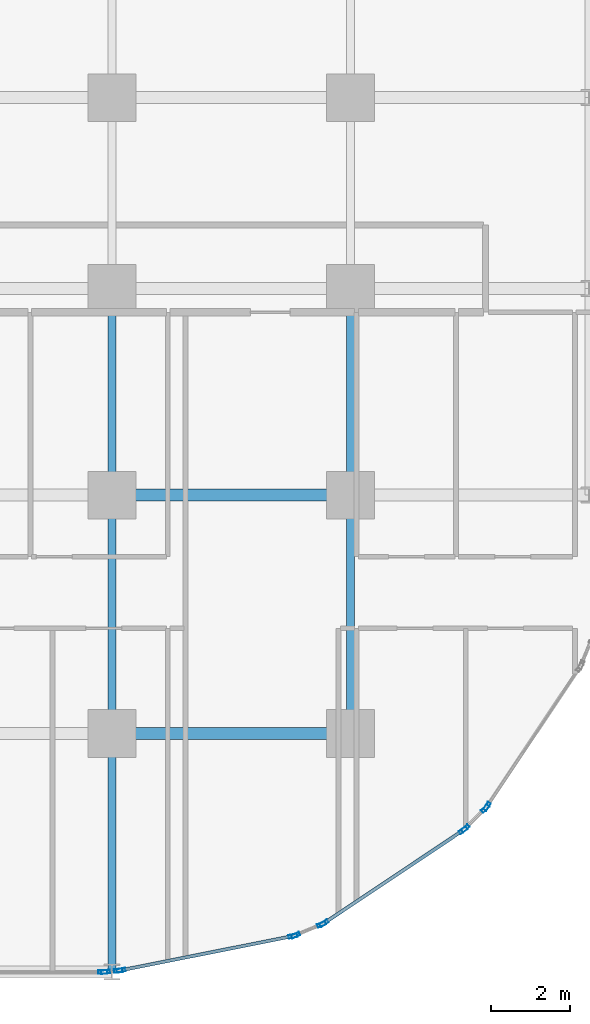
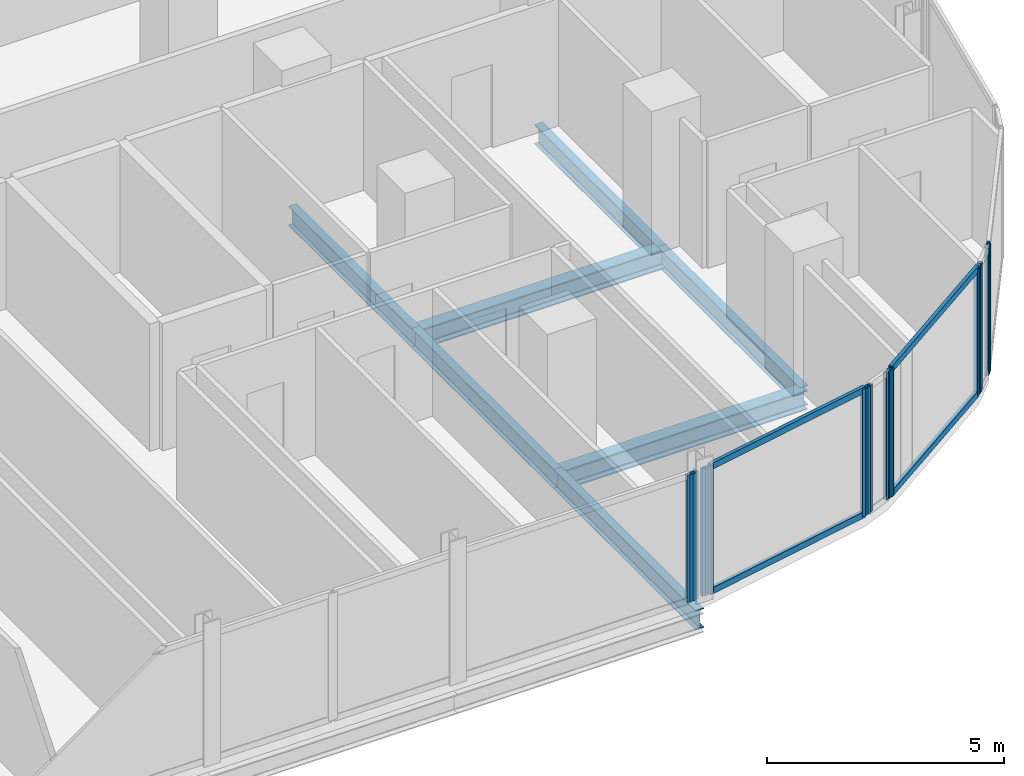
# One storey, part 10 of 33: 16 members, 7 beams, 7 elements without a shape of their own.
"""IFC4 building model written with IfcOpenShell, lengths in metres."""

import ifcopenshell
import ifcopenshell.guid

model = None  # the IFC model being written
_history = None  # IfcOwnerHistory: only IFC2X3 demands one
_inside = {}  # id of a spatial element -> (the spatial element, [elements in it])
_under = {}  # id of a project, library or spatial element -> (it, [spatial elements below it])
_declared = {}  # id of a project -> (the project, [libraries it declares])
_typed = {}  # id of a type object -> (the type object, [elements of that type])
_made_of = {}  # id of a material, layer set ... -> (it, [elements and type objects made of it])


def new_model(schema):
    """Start an empty IFC model of exactly this schema.

    Asked for "IFC4X3", IfcOpenShell would pick the latest addendum, in which some entities
    have other attributes; the version numbers below select the first issue.
    IFC2X3 requires an IfcOwnerHistory on every rooted entity: one is made here for all.
    """
    global model, _history
    if schema == "IFC4X3":
        model = ifcopenshell.file(schema_version=(4, 3, 0, 0))
    else:
        model = ifcopenshell.file(schema=schema)
    _inside.clear()
    _under.clear()
    _declared.clear()
    _typed.clear()
    _made_of.clear()
    _history = None
    if model.schema == "IFC2X3":
        org = make("IfcOrganization", Name="unknown")
        user = make(
            "IfcPersonAndOrganization",
            ThePerson=make("IfcPerson", FamilyName="unknown"),
            TheOrganization=org,
        )
        app = make(
            "IfcApplication",
            ApplicationDeveloper=org,
            Version="unknown",
            ApplicationFullName="unknown",
            ApplicationIdentifier="unknown",
        )
        _history = make(
            "IfcOwnerHistory",
            OwningUser=user,
            OwningApplication=app,
            ChangeAction="ADDED",
            CreationDate=0,
        )
    return model


def make(cls, **values):
    """One entity of the class cls with the attributes given. An attribute that is None is left unset."""
    return model.create_entity(
        cls, **{name: value for name, value in values.items() if value is not None}
    )


def rooted(cls, **values):
    """An entity with a GlobalId (a new one), such as an element, a storey or a relation."""
    return make(cls, GlobalId=ifcopenshell.guid.new(), OwnerHistory=_history, **values)


def si_unit(unit_type, name, prefix=None):
    """IfcSIUnit, for example si_unit("LENGTHUNIT", "METRE", prefix="MILLI")."""
    return make("IfcSIUnit", UnitType=unit_type, Prefix=prefix, Name=name)


def assignment(units):
    """IfcUnitAssignment: the units of a project."""
    return None if units is None else make("IfcUnitAssignment", Units=units)


def point(xyz):
    """IfcCartesianPoint."""
    return None if xyz is None else make("IfcCartesianPoint", Coordinates=xyz)


def direction(xyz):
    """IfcDirection."""
    return None if xyz is None else make("IfcDirection", DirectionRatios=xyz)


def frame(location, z_axis=None, x_axis=None):
    """IfcAxis2Placement3D, a coordinate frame: its origin and axes. An axis left out is left unset."""
    return make(
        "IfcAxis2Placement3D",
        Location=point(location),
        Axis=direction(z_axis),
        RefDirection=direction(x_axis),
    )


def frame_2d(location, x_axis=None):
    """IfcAxis2Placement2D, a coordinate frame in the plane: its origin and x axis."""
    return make(
        "IfcAxis2Placement2D", Location=point(location), RefDirection=direction(x_axis)
    )


def origin():
    """The frame at (0, 0, 0) with its axes left unset."""
    return frame((0.0, 0.0, 0.0))


def origin_2d():
    """The frame at (0, 0) in the plane with its x axis left unset."""
    return frame_2d((0.0, 0.0))


def place(relative_to, where):
    """IfcLocalPlacement: puts the frame where relative to a parent placement (None: the world)."""
    return make(
        "IfcLocalPlacement", PlacementRelTo=relative_to, RelativePlacement=where
    )


def context(
    kind, dimensions, precision=None, world=None, true_north=None, identifier=None
):
    """IfcGeometricRepresentationContext, for example the 3D "Model" context."""
    return make(
        "IfcGeometricRepresentationContext",
        ContextIdentifier=identifier,
        ContextType=kind,
        CoordinateSpaceDimension=dimensions,
        Precision=precision,
        WorldCoordinateSystem=world,
        TrueNorth=true_north,
    )


def subcontext(parent, identifier, kind, view, scale=None):
    """IfcGeometricRepresentationSubContext, for example "Body" below "Model"."""
    return make(
        "IfcGeometricRepresentationSubContext",
        ContextIdentifier=identifier,
        ContextType=kind,
        ParentContext=parent,
        TargetScale=scale,
        TargetView=view,
    )


def project(units=None, contexts=None):
    """IfcProject with its units and contexts."""
    return rooted(
        "IfcProject",
        Name="project",
        RepresentationContexts=contexts,
        UnitsInContext=assignment(units),
    )


def spatial(cls, under=None, at=None, **own):
    """A site, building, storey or space (cls), placed at a placement, below another one or the project."""
    s = rooted(cls, ObjectPlacement=at, **own)
    if under is not None:
        _under.setdefault(under.id(), (under, []))[1].append(s)
    return s


def profile(cls, at=None, kind="AREA", **sizes):
    """A parametric profile (cls). Its sizes go by their IFC names, for example OverallWidth=200.0."""
    return make(cls, ProfileType=kind, Position=at, **sizes)


def hollow_rectangle(**sizes):
    """IfcRectangleHollowProfileDef."""
    return profile("IfcRectangleHollowProfileDef", **sizes)


def i_section(**sizes):
    """IfcIShapeProfileDef."""
    return profile("IfcIShapeProfileDef", **sizes)


def extrude(swept, where, along, depth):
    """IfcExtrudedAreaSolid: the profile swept, set in the frame where, extruded along a direction by depth."""
    return make(
        "IfcExtrudedAreaSolid",
        SweptArea=swept,
        Position=where,
        ExtrudedDirection=direction(along),
        Depth=depth,
    )


def shape(context_of_items, identifier, shape_type, items):
    """IfcShapeRepresentation: the items that make up one representation, for example the "Body"."""
    return make(
        "IfcShapeRepresentation",
        ContextOfItems=context_of_items,
        RepresentationIdentifier=identifier,
        RepresentationType=shape_type,
        Items=items,
    )


def material(Name=None, Category=None):
    """IfcMaterial."""
    return make("IfcMaterial", Name=Name, Category=Category)


def layer(
    of_material, thickness, ventilated=None, Name=None, Category=None, Priority=None
):
    """IfcMaterialLayer: one layer of a wall or slab, of a material (None: an air gap)."""
    return make(
        "IfcMaterialLayer",
        Material=of_material,
        LayerThickness=thickness,
        IsVentilated=ventilated,
        Name=Name,
        Category=Category,
        Priority=Priority,
    )


def layer_set(layers, Name=None):
    """IfcMaterialLayerSet."""
    return make("IfcMaterialLayerSet", MaterialLayers=layers, LayerSetName=Name)


def material_profile(
    of_material, cross_section, Name=None, Category=None, Priority=None
):
    """IfcMaterialProfile: a cross section and its material."""
    return make(
        "IfcMaterialProfile",
        Name=Name,
        Material=of_material,
        Profile=cross_section,
        Priority=Priority,
        Category=Category,
    )


def profile_set(profiles, Name=None, composite=None):
    """IfcMaterialProfileSet."""
    return make(
        "IfcMaterialProfileSet",
        Name=Name,
        MaterialProfiles=profiles,
        CompositeProfile=composite,
    )


def made_of(thing, what):
    """Note that an element or type object is made of a material, layer set ...; save() writes the relation."""
    if what is not None:
        _made_of.setdefault(what.id(), (what, []))[1].append(thing)
    return thing


def type_object(cls, material=None, **own):
    """A type object (cls), such as IfcWallType, which elements share."""
    return made_of(rooted(cls, **own), material)


def element(
    cls,
    number,
    at=None,
    inside=None,
    cuts=None,
    type_object=None,
    material=None,
    context=None,
    identifier="Body",
    shape_type=None,
    held_by="IfcProductDefinitionShape",
    body=None,
    shapes=None,
    **own,
):
    """One element of the class cls, such as IfcWall. Its Tag is "e" and its number.

    at: its placement. inside: the storey or other place that contains it. cuts: it is an
    opening in that element (IfcRelVoidsElement). A single representation is given by context,
    identifier, shape_type and body (its items); several are given by shapes. held_by: the class
    of the entity that holds the representations. save() writes the other relations.
    """
    e = rooted(cls, Tag="e%d" % number, ObjectPlacement=at, **own)
    if body is not None:
        shapes = [shape(context, identifier, shape_type, body)]
    if shapes is not None:
        e.Representation = make(held_by, Representations=shapes)
    if inside is not None:
        _inside.setdefault(inside.id(), (inside, []))[1].append(e)
    if cuts is not None:
        rooted(
            "IfcRelVoidsElement", RelatingBuildingElement=cuts, RelatedOpeningElement=e
        )
    if type_object is not None:
        _typed.setdefault(type_object.id(), (type_object, []))[1].append(e)
    return made_of(e, material)


def aggregate(whole, parts):
    """IfcRelAggregates: a whole, such as a stair, and the parts it consists of."""
    return rooted("IfcRelAggregates", RelatingObject=whole, RelatedObjects=parts)


def save(model, path):
    """Write the relations noted so far, then the file.

    IfcRelAggregates (storeys below a building ...), IfcRelContainedInSpatialStructure (elements
    in a storey), IfcRelDefinesByType, IfcRelAssociatesMaterial and IfcRelDeclares: one each for
    every whole, place, type object, material and project.
    """
    for whole, parts in _under.values():
        aggregate(whole, parts)
    for where, things in _inside.values():
        rooted(
            "IfcRelContainedInSpatialStructure",
            RelatedElements=things,
            RelatingStructure=where,
        )
    for kind, things in _typed.values():
        rooted("IfcRelDefinesByType", RelatedObjects=things, RelatingType=kind)
    for what, things in _made_of.values():
        rooted("IfcRelAssociatesMaterial", RelatedObjects=things, RelatingMaterial=what)
    for by, libraries in _declared.values():
        rooted("IfcRelDeclares", RelatingContext=by, RelatedDefinitions=libraries)
    model.write(path)


model = new_model("IFC4")

# Units and contexts
model_context = context("Model", 3, precision=1e-05, world=origin(), true_north=direction((0.0, 1.0)))
body_context = subcontext(model_context, "Body", "Model", "MODEL_VIEW")
ifc_project = project(units=[si_unit("LENGTHUNIT", "METRE"), si_unit("AREAUNIT", "SQUARE_METRE"), si_unit("VOLUMEUNIT", "CUBIC_METRE"), si_unit("PLANEANGLEUNIT", "RADIAN"), si_unit("MASSUNIT", "GRAM", prefix="KILO")], contexts=[model_context])

# Site, building, storey
site_placement = place(None, origin())
site = spatial("IfcSite", under=ifc_project, at=site_placement, CompositionType="ELEMENT")
building_placement = place(site_placement, origin())
building = spatial("IfcBuilding", under=site, at=building_placement, Name="Keshet Zoharim Tower", CompositionType="ELEMENT")
storey_placement = place(building_placement, frame((0.0, 0.0, 57.300048828125)))
storey = spatial("IfcBuildingStorey", under=building, at=storey_placement, Name="L13", CompositionType="ELEMENT", Elevation=57.300048828125)

# Beams
ifc_material_1 = material(Name="Steel S355", Category="steel")
ifc_material_profile_1 = material_profile(ifc_material_1, i_section(OverallWidth=0.199951171875, OverallDepth=0.5, WebThickness=0.01025390625, FlangeThickness=0.01611328125, FilletRadius=0.02099609375, at=origin_2d()), Name="IPE500")
ifc_profile_set_1 = profile_set([ifc_material_profile_1], Name="Steel S355")
beam_type_1 = type_object("IfcBeamType", Name="BM-PRI-IP500", PredefinedType="BEAM", material=ifc_profile_set_1)
for number, where, z_axis, x_axis, name in (
    (1, (57.0, 0.699951171875, -0.56494140625), (0.0, 1.0, 0.0), (-1.0, 0.0, 0.0), "L13 Primary Girder Y-013"),
    (2, (57.0, 6.699951171875, -0.56494140625), (0.0, 1.0, 0.0), (-1.0, 0.0, 0.0), "L13 Primary Girder Y-014"),
):
    element("IfcBeam", number, at=place(storey_placement, frame(where, z_axis=z_axis, x_axis=x_axis)), inside=storey, type_object=beam_type_1, Name=name, PredefinedType="BEAM", context=body_context, shape_type="SweptSolid", body=[
        extrude(i_section(OverallWidth=0.199951171875, OverallDepth=0.5, WebThickness=0.01025390625, FlangeThickness=0.01611328125, FilletRadius=0.02099609375, at=origin_2d()), origin(), (0.0, 0.0, 1.0), 6.0),
    ])
beam_1_placement = place(storey_placement, frame((57.0, 12.699951171875, -0.56494140625), z_axis=(0.0, 1.0, 0.0), x_axis=(-1.0, 0.0, 0.0)))
element("IfcBeam", 3, at=beam_1_placement, inside=storey, type_object=beam_type_1, Name="L13 Primary Girder Y-015", PredefinedType="BEAM", context=body_context, shape_type="SweptSolid", body=[
    extrude(i_section(OverallWidth=0.199951171875, OverallDepth=0.5, WebThickness=0.01025390625, FlangeThickness=0.01611328125, FilletRadius=0.02099609375, at=origin_2d()), origin(), (0.0, 0.0, 1.0), 5.199951171875),
])
beam_2_placement = place(storey_placement, frame((63.0, 6.699951171875, -0.56494140625), z_axis=(0.0, 1.0, 0.0), x_axis=(-1.0, 0.0, 0.0)))
element("IfcBeam", 4, at=beam_2_placement, inside=storey, type_object=beam_type_1, Name="L13 Primary Girder Y-018", PredefinedType="BEAM", context=body_context, shape_type="SweptSolid", body=[
    extrude(i_section(OverallWidth=0.199951171875, OverallDepth=0.5, WebThickness=0.01025390625, FlangeThickness=0.01611328125, FilletRadius=0.02099609375, at=origin_2d()), origin(), (0.0, 0.0, 1.0), 6.0),
])
beam_3_placement = place(storey_placement, frame((63.0, 12.699951171875, -0.56494140625), z_axis=(0.0, 1.0, 0.0), x_axis=(-1.0, 0.0, 0.0)))
element("IfcBeam", 5, at=beam_3_placement, inside=storey, type_object=beam_type_1, Name="L13 Primary Girder Y-019", PredefinedType="BEAM", context=body_context, shape_type="SweptSolid", body=[
    extrude(i_section(OverallWidth=0.199951171875, OverallDepth=0.5, WebThickness=0.01025390625, FlangeThickness=0.01611328125, FilletRadius=0.02099609375, at=origin_2d()), origin(), (0.0, 0.0, 1.0), 5.199951171875),
])
ifc_material_profile_2 = material_profile(ifc_material_1, i_section(OverallWidth=0.300048828125, OverallDepth=0.5, WebThickness=0.014404296875, FlangeThickness=0.028076171875, FilletRadius=0.027099609375, at=origin_2d()), Name="HEB500")
ifc_profile_set_2 = profile_set([ifc_material_profile_2], Name="Steel S355")
beam_type_2 = type_object("IfcBeamType", Name="BM-WEB-HB500", PredefinedType="BEAM", material=ifc_profile_set_2)
for number, where, z_axis, x_axis, name in (
    (6, (57.0, 6.699951171875, -0.56494140625), (1.0, 0.0, 0.0), (0.0, 1.0, 0.0), "L13 Primary Girder X-010"),
    (7, (57.0, 12.699951171875, -0.56494140625), (1.0, 0.0, 0.0), (0.0, 1.0, 0.0), "L13 Primary Girder X-013"),
):
    element("IfcBeam", number, at=place(storey_placement, frame(where, z_axis=z_axis, x_axis=x_axis)), inside=storey, type_object=beam_type_2, Name=name, PredefinedType="BEAM", context=body_context, shape_type="SweptSolid", body=[
        extrude(i_section(OverallWidth=0.300048828125, OverallDepth=0.5, WebThickness=0.014404296875, FlangeThickness=0.028076171875, FilletRadius=0.027099609375, at=origin_2d()), origin(), (0.0, 0.0, 1.0), 6.0),
    ])

# Curtain wall, member
ifc_material_2 = material(Name="Aluminium 6063-T6", Category="aluminium")
ifc_layer = layer(ifc_material_2, 0.179931640625)
ifc_layer_set = layer_set([ifc_layer], Name="Aluminium 6063-T6")
curtain_wall_type = type_object("IfcCurtainWallType", Name="CW-SYS-01", PredefinedType="NOTDEFINED", material=ifc_layer_set)
curtain_wall_1_placement = place(storey_placement, origin())
curtain_wall_1 = element("IfcCurtainWall", 8, at=curtain_wall_1_placement, inside=storey, type_object=curtain_wall_type, Name="L13 Unitised Curtain Wall 20", PredefinedType="NOTDEFINED")
ifc_material_profile_3 = material_profile(ifc_material_2, hollow_rectangle(XDim=0.090087890625, YDim=0.219970703125, WallThickness=0.0048828125, at=origin_2d()), Name="MUL-90x220")
ifc_profile_set_3 = profile_set([ifc_material_profile_3], Name="Aluminium 6063-T6")
member_type_1 = type_object("IfcMemberType", Name="CWM-M22", PredefinedType="MULLION", material=ifc_profile_set_3)
member_1_placement = place(storey_placement, frame((66.432373046875, 4.8671875, 0.0), z_axis=(0.0, 0.0, 1.0), x_axis=(0.831474282335, -0.555563243758, 0.0)))
member_1 = element("IfcMember", 9, at=member_1_placement, type_object=member_type_1, Name="CW-01 mullion 2", PredefinedType="MULLION", context=body_context, shape_type="SweptSolid", body=[
    extrude(hollow_rectangle(XDim=0.090087890625, YDim=0.219970703125, WallThickness=0.0048828125, at=origin_2d()), origin(), (0.0, 0.0, 1.0), 3.280029296875),
])
aggregate(curtain_wall_1, [member_1])

# Curtain wall, members
curtain_wall_2_placement = place(storey_placement, origin())
curtain_wall_2 = element("IfcCurtainWall", 10, at=curtain_wall_2_placement, inside=storey, type_object=curtain_wall_type, Name="L13 Unitised Curtain Wall 21", PredefinedType="NOTDEFINED")
member_2_placement = place(storey_placement, frame((66.38818359375, 4.813232421875, 0.0), z_axis=(0.0, 0.0, 1.0), x_axis=(0.707106781187, -0.707106781187, 0.0)))
member_2 = element("IfcMember", 11, at=member_2_placement, type_object=member_type_1, Name="CW-01 mullion 1", PredefinedType="MULLION", context=body_context, shape_type="SweptSolid", body=[
    extrude(hollow_rectangle(XDim=0.090087890625, YDim=0.219970703125, WallThickness=0.0048828125, at=origin_2d()), origin(), (0.0, 0.0, 1.0), 3.280029296875),
])
member_3_placement = place(storey_placement, frame((65.88671875, 4.311767578125, 0.0), z_axis=(0.0, 0.0, 1.0), x_axis=(0.707106781187, -0.707106781187, 0.0)))
member_3 = element("IfcMember", 12, at=member_3_placement, type_object=member_type_1, Name="CW-01 mullion 2", PredefinedType="MULLION", context=body_context, shape_type="SweptSolid", body=[
    extrude(hollow_rectangle(XDim=0.090087890625, YDim=0.219970703125, WallThickness=0.0048828125, at=origin_2d()), origin(), (0.0, 0.0, 1.0), 3.280029296875),
])
aggregate(curtain_wall_2, [member_2, member_3])

curtain_wall_3_placement = place(storey_placement, origin())
curtain_wall_3 = element("IfcCurtainWall", 13, at=curtain_wall_3_placement, inside=storey, type_object=curtain_wall_type, Name="L13 Unitised Curtain Wall 22", PredefinedType="NOTDEFINED")
member_4_placement = place(storey_placement, frame((65.8330078125, 4.267578125, 0.0), z_axis=(0.0, 0.0, 1.0), x_axis=(0.555563243758, -0.831474282335, 0.0)))
member_4 = element("IfcMember", 14, at=member_4_placement, type_object=member_type_1, Name="CW-01 mullion 1", PredefinedType="MULLION", context=body_context, shape_type="SweptSolid", body=[
    extrude(hollow_rectangle(XDim=0.090087890625, YDim=0.219970703125, WallThickness=0.0048828125, at=origin_2d()), origin(), (0.0, 0.0, 1.0), 3.280029296875),
])
member_5_placement = place(storey_placement, frame((62.335205078125, 1.930419921875, 0.0), z_axis=(0.0, 0.0, 1.0), x_axis=(0.555563243758, -0.831474282335, 0.0)))
member_5 = element("IfcMember", 15, at=member_5_placement, type_object=member_type_1, Name="CW-01 mullion 2", PredefinedType="MULLION", context=body_context, shape_type="SweptSolid", body=[
    extrude(hollow_rectangle(XDim=0.090087890625, YDim=0.219970703125, WallThickness=0.0048828125, at=origin_2d()), origin(), (0.0, 0.0, 1.0), 3.280029296875),
])

curtain_wall_4_placement = place(storey_placement, origin())
curtain_wall_4 = element("IfcCurtainWall", 16, at=curtain_wall_4_placement, inside=storey, type_object=curtain_wall_type, Name="L13 Unitised Curtain Wall 23", PredefinedType="NOTDEFINED")
member_6_placement = place(storey_placement, frame((62.273681640625, 1.897705078125, 0.0), z_axis=(0.0, 0.0, 1.0), x_axis=(0.383068349739, -0.923720000557, 0.0)))
member_6 = element("IfcMember", 17, at=member_6_placement, type_object=member_type_1, Name="CW-01 mullion 1", PredefinedType="MULLION", context=body_context, shape_type="SweptSolid", body=[
    extrude(hollow_rectangle(XDim=0.090087890625, YDim=0.219970703125, WallThickness=0.0048828125, at=origin_2d()), origin(), (0.0, 0.0, 1.0), 3.280029296875),
])
member_7_placement = place(storey_placement, frame((61.617431640625, 1.62548828125, 0.0), z_axis=(0.0, 0.0, 1.0), x_axis=(0.383068349739, -0.923720000557, 0.0)))
member_7 = element("IfcMember", 18, at=member_7_placement, type_object=member_type_1, Name="CW-01 mullion 2", PredefinedType="MULLION", context=body_context, shape_type="SweptSolid", body=[
    extrude(hollow_rectangle(XDim=0.090087890625, YDim=0.219970703125, WallThickness=0.0048828125, at=origin_2d()), origin(), (0.0, 0.0, 1.0), 3.280029296875),
])
aggregate(curtain_wall_4, [member_6, member_7])

curtain_wall_5_placement = place(storey_placement, origin())
curtain_wall_5 = element("IfcCurtainWall", 19, at=curtain_wall_5_placement, inside=storey, type_object=curtain_wall_type, Name="L13 Unitised Curtain Wall 24", PredefinedType="NOTDEFINED")
member_8_placement = place(storey_placement, frame((61.55078125, 1.605224609375, 0.0), z_axis=(0.0, 0.0, 1.0), x_axis=(0.195171279072, -0.98076917357, 0.0)))
member_8 = element("IfcMember", 20, at=member_8_placement, type_object=member_type_1, Name="CW-01 mullion 1", PredefinedType="MULLION", context=body_context, shape_type="SweptSolid", body=[
    extrude(hollow_rectangle(XDim=0.090087890625, YDim=0.219970703125, WallThickness=0.0048828125, at=origin_2d()), origin(), (0.0, 0.0, 1.0), 3.280029296875),
])
member_9_placement = place(storey_placement, frame((57.227294921875, 0.744873046875, 0.0), z_axis=(0.0, 0.0, 1.0), x_axis=(0.195171279072, -0.98076917357, 0.0)))
member_9 = element("IfcMember", 21, at=member_9_placement, type_object=member_type_1, Name="CW-01 mullion 2", PredefinedType="MULLION", context=body_context, shape_type="SweptSolid", body=[
    extrude(hollow_rectangle(XDim=0.090087890625, YDim=0.219970703125, WallThickness=0.0048828125, at=origin_2d()), origin(), (0.0, 0.0, 1.0), 3.280029296875),
])

curtain_wall_6_placement = place(storey_placement, origin())
curtain_wall_6 = element("IfcCurtainWall", 22, at=curtain_wall_6_placement, inside=storey, type_object=curtain_wall_type, Name="L13 Unitised Curtain Wall 25", PredefinedType="NOTDEFINED")
member_10_placement = place(storey_placement, frame((57.158203125, 0.734619140625, 0.0), z_axis=(0.0, 0.0, 1.0), x_axis=(0.096976648633, -0.995286657009, 0.0)))
member_10 = element("IfcMember", 23, at=member_10_placement, type_object=member_type_1, Name="CW-01 mullion 1", PredefinedType="MULLION", context=body_context, shape_type="SweptSolid", body=[
    extrude(hollow_rectangle(XDim=0.090087890625, YDim=0.219970703125, WallThickness=0.0048828125, at=origin_2d()), origin(), (0.0, 0.0, 1.0), 3.280029296875),
])
member_11_placement = place(storey_placement, frame((56.837890625, 0.703369140625, 0.0), z_axis=(0.0, 0.0, 1.0), x_axis=(0.096976648633, -0.995286657009, 0.0)))
member_11 = element("IfcMember", 24, at=member_11_placement, type_object=member_type_1, Name="CW-01 mullion 2", PredefinedType="MULLION", context=body_context, shape_type="SweptSolid", body=[
    extrude(hollow_rectangle(XDim=0.090087890625, YDim=0.219970703125, WallThickness=0.0048828125, at=origin_2d()), origin(), (0.0, 0.0, 1.0), 3.280029296875),
])
aggregate(curtain_wall_6, [member_10, member_11])

# Curtain wall, member
curtain_wall_7_placement = place(storey_placement, origin())
curtain_wall_7 = element("IfcCurtainWall", 25, at=curtain_wall_7_placement, inside=storey, type_object=curtain_wall_type, Name="L13 Unitised Curtain Wall 26", PredefinedType="NOTDEFINED")
member_12_placement = place(storey_placement, frame((56.76806640625, 0.699951171875, 0.0), z_axis=(0.0, 0.0, 1.0), x_axis=(0.0, -1.0, 0.0)))
member_12 = element("IfcMember", 26, at=member_12_placement, type_object=member_type_1, Name="CW-01 mullion 1", PredefinedType="MULLION", context=body_context, shape_type="SweptSolid", body=[
    extrude(hollow_rectangle(XDim=0.090087890625, YDim=0.219970703125, WallThickness=0.0048828125, at=origin_2d()), origin(), (0.0, 0.0, 1.0), 3.280029296875),
])
aggregate(curtain_wall_7, [member_12])

# Member
ifc_material_profile_4 = material_profile(ifc_material_2, hollow_rectangle(XDim=0.0849609375, YDim=0.159912109375, WallThickness=0.00439453125, at=origin_2d()), Name="TRN-85x160")
ifc_profile_set_4 = profile_set([ifc_material_profile_4], Name="Aluminium 6063-T6")
member_type_2 = type_object("IfcMemberType", Name="CWT-T16", PredefinedType="USERDEFINED", material=ifc_profile_set_4)
member_13_placement = place(storey_placement, frame((65.8037109375, 4.248046875, 0.034912109375), z_axis=(-0.831477809106, -0.55555796544, 0.0), x_axis=(0.55555796544, -0.831477809106, 0.0)))
member_13 = element("IfcMember", 27, at=member_13_placement, type_object=member_type_2, Name="CW-01 transom 1.1", ObjectType="TRANSOM", PredefinedType="USERDEFINED", context=body_context, shape_type="SweptSolid", body=[
    extrude(hollow_rectangle(XDim=0.0849609375, YDim=0.159912109375, WallThickness=0.00439453125, at=origin_2d()), origin(), (0.0, 0.0, 1.0), 4.136474609375),
])

member_14_placement = place(storey_placement, frame((65.8037109375, 4.248046875, 3.244873046875), z_axis=(-0.831477809106, -0.55555796544, 0.0), x_axis=(0.55555796544, -0.831477809106, 0.0)))
member_14 = element("IfcMember", 28, at=member_14_placement, type_object=member_type_2, Name="CW-01 transom 1.2", ObjectType="TRANSOM", PredefinedType="USERDEFINED", context=body_context, shape_type="SweptSolid", body=[
    extrude(hollow_rectangle(XDim=0.0849609375, YDim=0.159912109375, WallThickness=0.00439453125, at=origin_2d()), origin(), (0.0, 0.0, 1.0), 4.136474609375),
])

aggregate(curtain_wall_3, [member_4, member_5, member_13, member_14])

member_15_placement = place(storey_placement, frame((61.516357421875, 1.598388671875, 0.034912109375), z_axis=(-0.980768540739, -0.195174459131, 0.0), x_axis=(0.195174459131, -0.980768540739, 0.0)))
member_15 = element("IfcMember", 29, at=member_15_placement, type_object=member_type_2, Name="CW-01 transom 1.1", ObjectType="TRANSOM", PredefinedType="USERDEFINED", context=body_context, shape_type="SweptSolid", body=[
    extrude(hollow_rectangle(XDim=0.0849609375, YDim=0.159912109375, WallThickness=0.00439453125, at=origin_2d()), origin(), (0.0, 0.0, 1.0), 4.338134765625),
])

member_16_placement = place(storey_placement, frame((61.516357421875, 1.598388671875, 3.244873046875), z_axis=(-0.980768540739, -0.195174459131, 0.0), x_axis=(0.195174459131, -0.980768540739, 0.0)))
member_16 = element("IfcMember", 30, at=member_16_placement, type_object=member_type_2, Name="CW-01 transom 1.2", ObjectType="TRANSOM", PredefinedType="USERDEFINED", context=body_context, shape_type="SweptSolid", body=[
    extrude(hollow_rectangle(XDim=0.0849609375, YDim=0.159912109375, WallThickness=0.00439453125, at=origin_2d()), origin(), (0.0, 0.0, 1.0), 4.338134765625),
])

aggregate(curtain_wall_5, [member_8, member_9, member_15, member_16])

save(model, "model.ifc")
